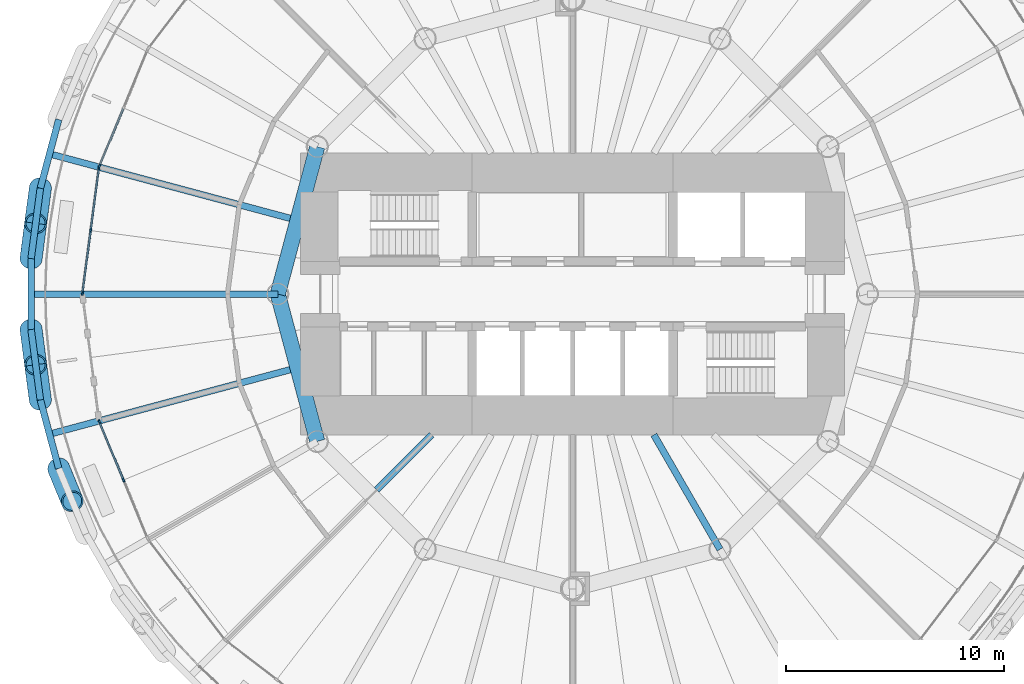
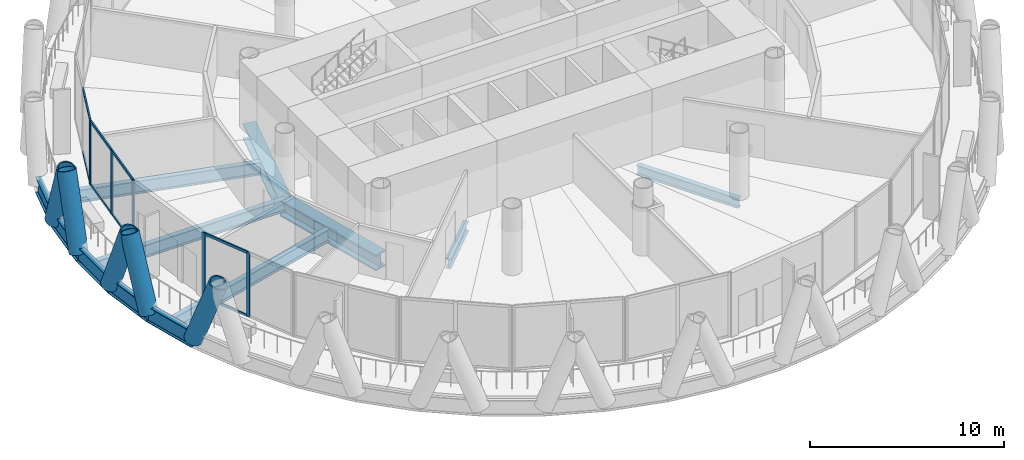
# One storey, part 3 of 15: 19 members, 12 beams, 3 elements without a shape of their own.
"""IFC4 building model written with IfcOpenShell, lengths in metres."""

import ifcopenshell
import ifcopenshell.guid

model = None  # the IFC model being written
_history = None  # IfcOwnerHistory: only IFC2X3 demands one
_inside = {}  # id of a spatial element -> (the spatial element, [elements in it])
_under = {}  # id of a project, library or spatial element -> (it, [spatial elements below it])
_declared = {}  # id of a project -> (the project, [libraries it declares])
_typed = {}  # id of a type object -> (the type object, [elements of that type])
_made_of = {}  # id of a material, layer set ... -> (it, [elements and type objects made of it])


def new_model(schema):
    """Start an empty IFC model of exactly this schema.

    Asked for "IFC4X3", IfcOpenShell would pick the latest addendum, in which some entities
    have other attributes; the version numbers below select the first issue.
    IFC2X3 requires an IfcOwnerHistory on every rooted entity: one is made here for all.
    """
    global model, _history
    if schema == "IFC4X3":
        model = ifcopenshell.file(schema_version=(4, 3, 0, 0))
    else:
        model = ifcopenshell.file(schema=schema)
    _inside.clear()
    _under.clear()
    _declared.clear()
    _typed.clear()
    _made_of.clear()
    _history = None
    if model.schema == "IFC2X3":
        org = make("IfcOrganization", Name="unknown")
        user = make(
            "IfcPersonAndOrganization",
            ThePerson=make("IfcPerson", FamilyName="unknown"),
            TheOrganization=org,
        )
        app = make(
            "IfcApplication",
            ApplicationDeveloper=org,
            Version="unknown",
            ApplicationFullName="unknown",
            ApplicationIdentifier="unknown",
        )
        _history = make(
            "IfcOwnerHistory",
            OwningUser=user,
            OwningApplication=app,
            ChangeAction="ADDED",
            CreationDate=0,
        )
    return model


def make(cls, **values):
    """One entity of the class cls with the attributes given. An attribute that is None is left unset."""
    return model.create_entity(
        cls, **{name: value for name, value in values.items() if value is not None}
    )


def rooted(cls, **values):
    """An entity with a GlobalId (a new one), such as an element, a storey or a relation."""
    return make(cls, GlobalId=ifcopenshell.guid.new(), OwnerHistory=_history, **values)


def si_unit(unit_type, name, prefix=None):
    """IfcSIUnit, for example si_unit("LENGTHUNIT", "METRE", prefix="MILLI")."""
    return make("IfcSIUnit", UnitType=unit_type, Prefix=prefix, Name=name)


def assignment(units):
    """IfcUnitAssignment: the units of a project."""
    return None if units is None else make("IfcUnitAssignment", Units=units)


def point(xyz):
    """IfcCartesianPoint."""
    return None if xyz is None else make("IfcCartesianPoint", Coordinates=xyz)


def direction(xyz):
    """IfcDirection."""
    return None if xyz is None else make("IfcDirection", DirectionRatios=xyz)


def frame(location, z_axis=None, x_axis=None):
    """IfcAxis2Placement3D, a coordinate frame: its origin and axes. An axis left out is left unset."""
    return make(
        "IfcAxis2Placement3D",
        Location=point(location),
        Axis=direction(z_axis),
        RefDirection=direction(x_axis),
    )


def frame_2d(location, x_axis=None):
    """IfcAxis2Placement2D, a coordinate frame in the plane: its origin and x axis."""
    return make(
        "IfcAxis2Placement2D", Location=point(location), RefDirection=direction(x_axis)
    )


def origin():
    """The frame at (0, 0, 0) with its axes left unset."""
    return frame((0.0, 0.0, 0.0))


def origin_2d():
    """The frame at (0, 0) in the plane with its x axis left unset."""
    return frame_2d((0.0, 0.0))


def place(relative_to, where):
    """IfcLocalPlacement: puts the frame where relative to a parent placement (None: the world)."""
    return make(
        "IfcLocalPlacement", PlacementRelTo=relative_to, RelativePlacement=where
    )


def context(
    kind, dimensions, precision=None, world=None, true_north=None, identifier=None
):
    """IfcGeometricRepresentationContext, for example the 3D "Model" context."""
    return make(
        "IfcGeometricRepresentationContext",
        ContextIdentifier=identifier,
        ContextType=kind,
        CoordinateSpaceDimension=dimensions,
        Precision=precision,
        WorldCoordinateSystem=world,
        TrueNorth=true_north,
    )


def subcontext(parent, identifier, kind, view, scale=None):
    """IfcGeometricRepresentationSubContext, for example "Body" below "Model"."""
    return make(
        "IfcGeometricRepresentationSubContext",
        ContextIdentifier=identifier,
        ContextType=kind,
        ParentContext=parent,
        TargetScale=scale,
        TargetView=view,
    )


def project(units=None, contexts=None):
    """IfcProject with its units and contexts."""
    return rooted(
        "IfcProject",
        Name="project",
        RepresentationContexts=contexts,
        UnitsInContext=assignment(units),
    )


def spatial(cls, under=None, at=None, **own):
    """A site, building, storey or space (cls), placed at a placement, below another one or the project."""
    s = rooted(cls, ObjectPlacement=at, **own)
    if under is not None:
        _under.setdefault(under.id(), (under, []))[1].append(s)
    return s


def profile(cls, at=None, kind="AREA", **sizes):
    """A parametric profile (cls). Its sizes go by their IFC names, for example OverallWidth=200.0."""
    return make(cls, ProfileType=kind, Position=at, **sizes)


def rectangle(**sizes):
    """IfcRectangleProfileDef."""
    return profile("IfcRectangleProfileDef", **sizes)


def hollow_circle(**sizes):
    """IfcCircleHollowProfileDef."""
    return profile("IfcCircleHollowProfileDef", **sizes)


def i_section(**sizes):
    """IfcIShapeProfileDef."""
    return profile("IfcIShapeProfileDef", **sizes)


def extrude(swept, where, along, depth):
    """IfcExtrudedAreaSolid: the profile swept, set in the frame where, extruded along a direction by depth."""
    return make(
        "IfcExtrudedAreaSolid",
        SweptArea=swept,
        Position=where,
        ExtrudedDirection=direction(along),
        Depth=depth,
    )


def shape(context_of_items, identifier, shape_type, items):
    """IfcShapeRepresentation: the items that make up one representation, for example the "Body"."""
    return make(
        "IfcShapeRepresentation",
        ContextOfItems=context_of_items,
        RepresentationIdentifier=identifier,
        RepresentationType=shape_type,
        Items=items,
    )


def material(Name=None, Category=None):
    """IfcMaterial."""
    return make("IfcMaterial", Name=Name, Category=Category)


def material_profile(
    of_material, cross_section, Name=None, Category=None, Priority=None
):
    """IfcMaterialProfile: a cross section and its material."""
    return make(
        "IfcMaterialProfile",
        Name=Name,
        Material=of_material,
        Profile=cross_section,
        Priority=Priority,
        Category=Category,
    )


def profile_set(profiles, Name=None, composite=None):
    """IfcMaterialProfileSet."""
    return make(
        "IfcMaterialProfileSet",
        Name=Name,
        MaterialProfiles=profiles,
        CompositeProfile=composite,
    )


def made_of(thing, what):
    """Note that an element or type object is made of a material, layer set ...; save() writes the relation."""
    if what is not None:
        _made_of.setdefault(what.id(), (what, []))[1].append(thing)
    return thing


def type_object(cls, material=None, **own):
    """A type object (cls), such as IfcWallType, which elements share."""
    return made_of(rooted(cls, **own), material)


def element(
    cls,
    number,
    at=None,
    inside=None,
    cuts=None,
    type_object=None,
    material=None,
    context=None,
    identifier="Body",
    shape_type=None,
    held_by="IfcProductDefinitionShape",
    body=None,
    shapes=None,
    **own,
):
    """One element of the class cls, such as IfcWall. Its Tag is "e" and its number.

    at: its placement. inside: the storey or other place that contains it. cuts: it is an
    opening in that element (IfcRelVoidsElement). A single representation is given by context,
    identifier, shape_type and body (its items); several are given by shapes. held_by: the class
    of the entity that holds the representations. save() writes the other relations.
    """
    e = rooted(cls, Tag="e%d" % number, ObjectPlacement=at, **own)
    if body is not None:
        shapes = [shape(context, identifier, shape_type, body)]
    if shapes is not None:
        e.Representation = make(held_by, Representations=shapes)
    if inside is not None:
        _inside.setdefault(inside.id(), (inside, []))[1].append(e)
    if cuts is not None:
        rooted(
            "IfcRelVoidsElement", RelatingBuildingElement=cuts, RelatedOpeningElement=e
        )
    if type_object is not None:
        _typed.setdefault(type_object.id(), (type_object, []))[1].append(e)
    return made_of(e, material)


def aggregate(whole, parts):
    """IfcRelAggregates: a whole, such as a stair, and the parts it consists of."""
    return rooted("IfcRelAggregates", RelatingObject=whole, RelatedObjects=parts)


def save(model, path):
    """Write the relations noted so far, then the file.

    IfcRelAggregates (storeys below a building ...), IfcRelContainedInSpatialStructure (elements
    in a storey), IfcRelDefinesByType, IfcRelAssociatesMaterial and IfcRelDeclares: one each for
    every whole, place, type object, material and project.
    """
    for whole, parts in _under.values():
        aggregate(whole, parts)
    for where, things in _inside.values():
        rooted(
            "IfcRelContainedInSpatialStructure",
            RelatedElements=things,
            RelatingStructure=where,
        )
    for kind, things in _typed.values():
        rooted("IfcRelDefinesByType", RelatedObjects=things, RelatingType=kind)
    for what, things in _made_of.values():
        rooted("IfcRelAssociatesMaterial", RelatedObjects=things, RelatingMaterial=what)
    for by, libraries in _declared.values():
        rooted("IfcRelDeclares", RelatingContext=by, RelatedDefinitions=libraries)
    model.write(path)


model = new_model("IFC4")

# Units and contexts
model_context = context("Model", 3, precision=1e-05, world=origin(), true_north=direction((0.0, 1.0)))
body_context = subcontext(model_context, "Body", "Model", "MODEL_VIEW")
ifc_project = project(units=[si_unit("LENGTHUNIT", "METRE"), si_unit("AREAUNIT", "SQUARE_METRE"), si_unit("VOLUMEUNIT", "CUBIC_METRE"), si_unit("PLANEANGLEUNIT", "RADIAN"), si_unit("MASSUNIT", "GRAM", prefix="KILO")], contexts=[model_context])

# Site, building, storey
site_placement = place(None, origin())
site = spatial("IfcSite", under=ifc_project, at=site_placement, CompositionType="ELEMENT")
building_placement = place(site_placement, origin())
building = spatial("IfcBuilding", under=site, at=building_placement, Name="Qaws Media Tower", CompositionType="ELEMENT")
storey_placement = place(building_placement, frame((0.0, 0.0, 147.800048828125)))
storey = spatial("IfcBuildingStorey", under=building, at=storey_placement, Name="L33", CompositionType="ELEMENT", Elevation=147.800048828125)

# Curtain wall, member
ifc_material_1 = material(Name="Aluminium and clear glass", Category="aluminium")
curtain_wall_type = type_object("IfcCurtainWallType", Name="Unitised curtain wall CW-B", PredefinedType="NOTDEFINED", material=ifc_material_1)
curtain_wall_1_placement = place(storey_placement, origin())
curtain_wall_1 = element("IfcCurtainWall", 1, at=curtain_wall_1_placement, inside=storey, type_object=curtain_wall_type, Name="CWB curtain wall L33-11", PredefinedType="NOTDEFINED")
ifc_material_2 = material(Name="Aluminium mullion", Category="aluminium")
ifc_material_profile_1 = material_profile(ifc_material_2, rectangle(XDim=0.080078125, YDim=0.199951171875, at=origin_2d()), Name="80x200")
ifc_profile_set_1 = profile_set([ifc_material_profile_1], Name="Aluminium mullion")
member_type_1 = type_object("IfcMemberType", Name="Curtain wall mullion 80x200", PredefinedType="MULLION", material=ifc_profile_set_1)
member_1_placement = place(storey_placement, frame((38.330322265625, 55.847412109375, 0.0), z_axis=(0.0, 0.0, 1.0), x_axis=(0.923879490527, -0.382683533725, 0.0)))
member_1 = element("IfcMember", 2, at=member_1_placement, type_object=member_type_1, Name="CWB mullion 3", PredefinedType="MULLION", context=body_context, shape_type="SweptSolid", body=[
    extrude(rectangle(XDim=0.080078125, YDim=0.199951171875, at=origin_2d()), origin(), (0.0, 0.0, 1.0), 4.0400390625),
])

# Curtain wall, members
curtain_wall_2_placement = place(storey_placement, origin())
curtain_wall_2 = element("IfcCurtainWall", 3, at=curtain_wall_2_placement, inside=storey, type_object=curtain_wall_type, Name="CWB curtain wall L33-12", PredefinedType="NOTDEFINED")
member_2_placement = place(storey_placement, frame((38.309814453125, 55.770751953125, 0.0), z_axis=(0.0, 0.0, 1.0), x_axis=(0.991444867058, -0.130526149047, 0.0)))
member_2 = element("IfcMember", 4, at=member_2_placement, type_object=member_type_1, Name="CWB mullion 1", PredefinedType="MULLION", context=body_context, shape_type="SweptSolid", body=[
    extrude(rectangle(XDim=0.080078125, YDim=0.199951171875, at=origin_2d()), origin(), (0.0, 0.0, 1.0), 4.0400390625),
])
member_3_placement = place(storey_placement, frame((37.932373046875, 52.9052734375, 0.0), z_axis=(0.0, 0.0, 1.0), x_axis=(0.991444867058, -0.130526149047, 0.0)))
member_3 = element("IfcMember", 5, at=member_3_placement, type_object=member_type_1, Name="CWB mullion 2", PredefinedType="MULLION", context=body_context, shape_type="SweptSolid", body=[
    extrude(rectangle(XDim=0.080078125, YDim=0.199951171875, at=origin_2d()), origin(), (0.0, 0.0, 1.0), 4.0400390625),
])
member_4_placement = place(storey_placement, frame((37.55517578125, 50.03955078125, 0.0), z_axis=(0.0, 0.0, 1.0), x_axis=(0.991444867058, -0.130526149047, 0.0)))
member_4 = element("IfcMember", 6, at=member_4_placement, type_object=member_type_1, Name="CWB mullion 3", PredefinedType="MULLION", context=body_context, shape_type="SweptSolid", body=[
    extrude(rectangle(XDim=0.080078125, YDim=0.199951171875, at=origin_2d()), origin(), (0.0, 0.0, 1.0), 4.0400390625),
])

curtain_wall_3_placement = place(storey_placement, origin())
curtain_wall_3 = element("IfcCurtainWall", 7, at=curtain_wall_3_placement, inside=storey, type_object=curtain_wall_type, Name="CWB curtain wall L33-14", PredefinedType="NOTDEFINED")
member_5_placement = place(storey_placement, frame((38.330322265625, 44.152587890625, 0.0), z_axis=(0.0, 0.0, 1.0), x_axis=(0.923879490527, 0.382683533725, 0.0)))
member_5 = element("IfcMember", 8, at=member_5_placement, type_object=member_type_1, Name="CWB mullion 1", PredefinedType="MULLION", context=body_context, shape_type="SweptSolid", body=[
    extrude(rectangle(XDim=0.080078125, YDim=0.199951171875, at=origin_2d()), origin(), (0.0, 0.0, 1.0), 4.0400390625),
])
member_6_placement = place(storey_placement, frame((39.436279296875, 41.482177734375, 0.0), z_axis=(0.0, 0.0, 1.0), x_axis=(0.923879490527, 0.382683533725, 0.0)))
member_6 = element("IfcMember", 9, at=member_6_placement, type_object=member_type_1, Name="CWB mullion 2", PredefinedType="MULLION", context=body_context, shape_type="SweptSolid", body=[
    extrude(rectangle(XDim=0.080078125, YDim=0.199951171875, at=origin_2d()), origin(), (0.0, 0.0, 1.0), 4.0400390625),
])

# Member
ifc_material_3 = material(Name="Aluminium transom", Category="aluminium")
ifc_material_profile_2 = material_profile(ifc_material_3, rectangle(XDim=0.080078125, YDim=0.159912109375, at=origin_2d()), Name="80x160")
ifc_profile_set_2 = profile_set([ifc_material_profile_2], Name="Aluminium transom")
member_type_2 = type_object("IfcMemberType", Name="Curtain wall transom 80x160", PredefinedType="USERDEFINED", material=ifc_profile_set_2)
member_7_placement = place(storey_placement, frame((39.421142578125, 58.480712890625, 0.0400390625), z_axis=(-0.382745623752, -0.923853769543, 0.0), x_axis=(0.923853769543, -0.382745623752, 0.0)))
member_7 = element("IfcMember", 10, at=member_7_placement, type_object=member_type_2, Name="CWB transom 2.1", ObjectType="TRANSOM", PredefinedType="USERDEFINED", context=body_context, shape_type="SweptSolid", body=[
    extrude(rectangle(XDim=0.080078125, YDim=0.159912109375, at=origin_2d()), origin(), (0.0, 0.0, 1.0), 2.810546875),
])

member_8_placement = place(storey_placement, frame((39.421142578125, 58.480712890625, 4.0), z_axis=(-0.382745623752, -0.923853769543, 0.0), x_axis=(0.923853769543, -0.382745623752, 0.0)))
member_8 = element("IfcMember", 11, at=member_8_placement, type_object=member_type_2, Name="CWB transom 2.2", ObjectType="TRANSOM", PredefinedType="USERDEFINED", context=body_context, shape_type="SweptSolid", body=[
    extrude(rectangle(XDim=0.080078125, YDim=0.159912109375, at=origin_2d()), origin(), (0.0, 0.0, 1.0), 2.810546875),
])

aggregate(curtain_wall_1, [member_1, member_7, member_8])

member_9_placement = place(storey_placement, frame((38.304443359375, 55.731201171875, 0.0400390625), z_axis=(-0.130479231249, -0.991451042772, 0.0), x_axis=(0.991451042772, -0.130479231249, 0.0)))
member_9 = element("IfcMember", 12, at=member_9_placement, type_object=member_type_2, Name="CWB transom 1.1", ObjectType="TRANSOM", PredefinedType="USERDEFINED", context=body_context, shape_type="SweptSolid", body=[
    extrude(rectangle(XDim=0.080078125, YDim=0.159912109375, at=origin_2d()), origin(), (0.0, 0.0, 1.0), 2.810302734375),
])

member_10_placement = place(storey_placement, frame((38.304443359375, 55.731201171875, 4.0), z_axis=(-0.130479231249, -0.991451042772, 0.0), x_axis=(0.991451042772, -0.130479231249, 0.0)))
member_10 = element("IfcMember", 13, at=member_10_placement, type_object=member_type_2, Name="CWB transom 1.2", ObjectType="TRANSOM", PredefinedType="USERDEFINED", context=body_context, shape_type="SweptSolid", body=[
    extrude(rectangle(XDim=0.080078125, YDim=0.159912109375, at=origin_2d()), origin(), (0.0, 0.0, 1.0), 2.810302734375),
])

member_11_placement = place(storey_placement, frame((37.92724609375, 52.865478515625, 0.0400390625), z_axis=(-0.130490470081, -0.991449563628, 0.0), x_axis=(0.991449563628, -0.130490470081, 0.0)))
member_11 = element("IfcMember", 14, at=member_11_placement, type_object=member_type_2, Name="CWB transom 2.1", ObjectType="TRANSOM", PredefinedType="USERDEFINED", context=body_context, shape_type="SweptSolid", body=[
    extrude(rectangle(XDim=0.080078125, YDim=0.159912109375, at=origin_2d()), origin(), (0.0, 0.0, 1.0), 2.81005859375),
])

member_12_placement = place(storey_placement, frame((37.92724609375, 52.865478515625, 4.0), z_axis=(-0.130490470081, -0.991449563628, 0.0), x_axis=(0.991449563628, -0.130490470081, 0.0)))
member_12 = element("IfcMember", 15, at=member_12_placement, type_object=member_type_2, Name="CWB transom 2.2", ObjectType="TRANSOM", PredefinedType="USERDEFINED", context=body_context, shape_type="SweptSolid", body=[
    extrude(rectangle(XDim=0.080078125, YDim=0.159912109375, at=origin_2d()), origin(), (0.0, 0.0, 1.0), 2.81005859375),
])

aggregate(curtain_wall_2, [member_2, member_3, member_4, member_9, member_10, member_11, member_12])

member_13_placement = place(storey_placement, frame((38.345458984375, 44.11572265625, 0.0400390625), z_axis=(0.382745623752, -0.923853769543, 0.0), x_axis=(0.923853769543, 0.382745623752, 0.0)))
member_13 = element("IfcMember", 16, at=member_13_placement, type_object=member_type_2, Name="CWB transom 1.1", ObjectType="TRANSOM", PredefinedType="USERDEFINED", context=body_context, shape_type="SweptSolid", body=[
    extrude(rectangle(XDim=0.080078125, YDim=0.159912109375, at=origin_2d()), origin(), (0.0, 0.0, 1.0), 2.810546875),
])

member_14_placement = place(storey_placement, frame((38.345458984375, 44.11572265625, 4.0), z_axis=(0.382745623752, -0.923853769543, 0.0), x_axis=(0.923853769543, 0.382745623752, 0.0)))
member_14 = element("IfcMember", 17, at=member_14_placement, type_object=member_type_2, Name="CWB transom 1.2", ObjectType="TRANSOM", PredefinedType="USERDEFINED", context=body_context, shape_type="SweptSolid", body=[
    extrude(rectangle(XDim=0.080078125, YDim=0.159912109375, at=origin_2d()), origin(), (0.0, 0.0, 1.0), 2.810546875),
])

aggregate(curtain_wall_3, [member_5, member_6, member_13, member_14])

# Members
ifc_material_4 = material(Name="Steel S460", Category="steel")
ifc_material_profile_3 = material_profile(ifc_material_4, hollow_circle(Radius=0.508056640625, WallThickness=0.070068359375, at=origin_2d()), Name="CHS 1016x70")
ifc_profile_set_3 = profile_set([ifc_material_profile_3], Name="Steel S460")
member_type_3 = type_object("IfcMemberType", Name="Diagrid member CHS 1016x70", PredefinedType="USERDEFINED", material=ifc_profile_set_3)
for number, where, z_axis, x_axis, name in (
    (18, (35.62744140625, 54.847900390625, -0.6640625), (-0.047815257075, -0.357692818797, 0.932614362195), (0.991183235984, -0.132498274346, 0.0), "DG3 diagrid L33 A12"),
    (19, (35.203125, 48.374755859375, -0.6640625), (0.046405217951, -0.357905664619, 0.932603930391), (0.991698959967, 0.128581385903, 0.0), "DG3 diagrid L33 A13"),
    (20, (35.203125, 51.625244140625, -0.6640625), (0.046405217951, 0.357905664619, 0.932603930391), (-0.991698959967, 0.128581385903, 0.0), "DG3 diagrid L33 B13"),
    (21, (36.46875, 42.01220703125, -0.6640625), (0.137481650879, -0.33367490582, 0.932609164065), (0.924594078126, 0.38095379076, 0.0), "DG3 diagrid L33 A14"),
    (22, (35.62744140625, 45.152099609375, -0.6640625), (-0.047815257075, 0.357692818797, 0.932614362195), (-0.991183235984, -0.132498274346, 0.0), "DG3 diagrid L33 B14"),
):
    element("IfcMember", number, at=place(storey_placement, frame(where, z_axis=z_axis, x_axis=x_axis)), inside=storey, type_object=member_type_3, Name=name, ObjectType="DIAGRID", PredefinedType="USERDEFINED", context=body_context, shape_type="SweptSolid", body=[
        extrude(hollow_circle(Radius=0.508056640625, WallThickness=0.070068359375, at=origin_2d()), origin(), (0.0, 0.0, 1.0), 4.50341796875),
    ])

# Beams
ifc_material_5 = material(Name="Steel S460", Category="steel")
ifc_material_profile_4 = material_profile(ifc_material_5, i_section(OverallWidth=0.302001953125, OverallDepth=1.008056640625, WebThickness=0.02099609375, FlangeThickness=0.0400390625, FilletRadius=0.030029296875, at=origin_2d()), Name="HE 1000 M")
ifc_profile_set_4 = profile_set([ifc_material_profile_4], Name="Steel S460")
beam_type_1 = type_object("IfcBeamType", Name="Edge ring beam HE 1000 M", PredefinedType="BEAM", material=ifc_profile_set_4)
beam_1_placement = place(storey_placement, frame((36.46875, 57.98779296875, -0.6640625), z_axis=(-0.258812418621, -0.965927601825, 0.0), x_axis=(0.965927601825, -0.258812418621, 0.0)))
element("IfcBeam", 23, at=beam_1_placement, inside=storey, type_object=beam_type_1, Name="RB3 edge ring beam L33-22", PredefinedType="BEAM", context=body_context, shape_type="SweptSolid", body=[
    extrude(i_section(OverallWidth=0.302001953125, OverallDepth=1.008056640625, WebThickness=0.02099609375, FlangeThickness=0.0400390625, FilletRadius=0.030029296875, at=origin_2d()), origin(), (0.0, 0.0, 1.0), 3.250732421875),
])
for number, where, z_axis, x_axis, name in (
    (24, (35.62744140625, 54.847900390625, -0.6640625), (-0.130540000708, -0.991443043354, 0.0), (0.991443043354, -0.130540000708, 0.0), "RB3 edge ring beam L33-23"),
    (25, (35.203125, 51.625244140625, -0.6640625), (0.0, -1.0, 0.0), (1.0, 0.0, 0.0), "RB3 edge ring beam L33-24"),
    (26, (35.203125, 48.374755859375, -0.6640625), (0.130540000708, -0.991443043354, 0.0), (0.991443043354, 0.130540000708, 0.0), "RB3 edge ring beam L33-25"),
):
    element("IfcBeam", number, at=place(storey_placement, frame(where, z_axis=z_axis, x_axis=x_axis)), inside=storey, type_object=beam_type_1, Name=name, PredefinedType="BEAM", context=body_context, shape_type="SweptSolid", body=[
        extrude(i_section(OverallWidth=0.302001953125, OverallDepth=1.008056640625, WebThickness=0.02099609375, FlangeThickness=0.0400390625, FilletRadius=0.030029296875, at=origin_2d()), origin(), (0.0, 0.0, 1.0), 3.25048828125),
    ])
beam_2_placement = place(storey_placement, frame((35.62744140625, 45.152099609375, -0.6640625), z_axis=(0.258812418621, -0.965927601825, 0.0), x_axis=(0.965927601825, 0.258812418621, 0.0)))
element("IfcBeam", 27, at=beam_2_placement, inside=storey, type_object=beam_type_1, Name="RB3 edge ring beam L33-26", PredefinedType="BEAM", context=body_context, shape_type="SweptSolid", body=[
    extrude(i_section(OverallWidth=0.302001953125, OverallDepth=1.008056640625, WebThickness=0.02099609375, FlangeThickness=0.0400390625, FilletRadius=0.030029296875, at=origin_2d()), origin(), (0.0, 0.0, 1.0), 3.250732421875),
])
ifc_material_6 = material(Name="Steel S460", Category="steel")
ifc_material_profile_5 = material_profile(ifc_material_6, i_section(OverallWidth=0.699951171875, OverallDepth=1.0, WebThickness=0.034912109375, FlangeThickness=0.090087890625, at=origin_2d()), Name="PG 1000x700")
ifc_profile_set_5 = profile_set([ifc_material_profile_5], Name="Steel S460")
beam_type_2 = type_object("IfcBeamType", Name="Inner ring girder PG 1000x700", PredefinedType="BEAM", material=ifc_profile_set_5)
for number, where, z_axis, x_axis, name in (
    (28, (48.30859375, 56.75, -0.66015625), (-0.258810593767, -0.965928090778, 0.0), (0.965928090778, -0.258810593767, 0.0), "B3 inner ring beam L33 I06-I07"),
    (29, (46.5, 50.0, -0.66015625), (0.258810593767, -0.965928090778, 0.0), (0.965928090778, 0.258810593767, 0.0), "B3 inner ring beam L33 I07-I08"),
):
    element("IfcBeam", number, at=place(storey_placement, frame(where, z_axis=z_axis, x_axis=x_axis)), inside=storey, type_object=beam_type_2, Name=name, PredefinedType="BEAM", context=body_context, shape_type="SweptSolid", body=[
        extrude(i_section(OverallWidth=0.699951171875, OverallDepth=1.0, WebThickness=0.034912109375, FlangeThickness=0.090087890625, at=origin_2d()), origin(), (0.0, 0.0, 1.0), 6.988037109375),
    ])
ifc_material_7 = material(Name="Steel S355", Category="steel")
ifc_material_profile_6 = material_profile(ifc_material_7, i_section(OverallWidth=0.304931640625, OverallDepth=0.6201171875, WebThickness=0.02099609375, FlangeThickness=0.0400390625, FilletRadius=0.027099609375, at=origin_2d()), Name="HE 600 M")
ifc_profile_set_6 = profile_set([ifc_material_profile_6], Name="Steel S355")
beam_type_3 = type_object("IfcBeamType", Name="Radial beam HE 600 M, core side", PredefinedType="BEAM", material=ifc_profile_set_6)
beam_3_placement = place(storey_placement, frame((53.550048828125, 43.550048828125, -0.469970703125), z_axis=(-0.707106781187, -0.707106781187, 0.0), x_axis=(0.707106781187, -0.707106781187, 0.0)))
element("IfcBeam", 30, at=beam_3_placement, inside=storey, type_object=beam_type_3, Name="B2 radial beam L33 16", PredefinedType="BEAM", context=body_context, shape_type="SweptSolid", body=[
    extrude(i_section(OverallWidth=0.304931640625, OverallDepth=0.6201171875, WebThickness=0.02099609375, FlangeThickness=0.0400390625, FilletRadius=0.027099609375, at=origin_2d()), origin(), (0.0, 0.0, 1.0), 3.568359375),
])
beam_4_placement = place(storey_placement, frame((63.723876953125, 43.550048828125, -0.469970703125), z_axis=(0.499995978368, -0.866027725662, 0.0), x_axis=(0.866027725662, 0.499995978368, 0.0)))
element("IfcBeam", 31, at=beam_4_placement, inside=storey, type_object=beam_type_3, Name="B2 radial beam L33 21", PredefinedType="BEAM", context=body_context, shape_type="SweptSolid", body=[
    extrude(i_section(OverallWidth=0.304931640625, OverallDepth=0.6201171875, WebThickness=0.02099609375, FlangeThickness=0.0400390625, FilletRadius=0.027099609375, at=origin_2d()), origin(), (0.0, 0.0, 1.0), 6.05224609375),
])
ifc_material_8 = material(Name="Steel S355", Category="steel")
ifc_material_profile_7 = material_profile(ifc_material_8, i_section(OverallWidth=0.300048828125, OverallDepth=0.800048828125, WebThickness=0.017578125, FlangeThickness=0.032958984375, FilletRadius=0.030029296875, at=origin_2d()), Name="HE 800 B")
ifc_profile_set_7 = profile_set([ifc_material_profile_7], Name="Steel S355")
beam_type_4 = type_object("IfcBeamType", Name="Radial beam HE 800 B", PredefinedType="BEAM", material=ifc_profile_set_7)
beam_5_placement = place(storey_placement, frame((47.066162109375, 53.465576171875, -0.56005859375), z_axis=(-0.965923402633, 0.258828090141, 0.0), x_axis=(-0.258828090141, -0.965923402633, 0.0)))
element("IfcBeam", 32, at=beam_5_placement, inside=storey, type_object=beam_type_4, Name="B1 radial beam L33 12", PredefinedType="BEAM", context=body_context, shape_type="SweptSolid", body=[
    extrude(i_section(OverallWidth=0.300048828125, OverallDepth=0.800048828125, WebThickness=0.017578125, FlangeThickness=0.032958984375, FilletRadius=0.030029296875, at=origin_2d()), origin(), (0.0, 0.0, 1.0), 11.40673828125),
])
beam_6_placement = place(storey_placement, frame((46.5, 50.0, -0.56005859375), z_axis=(-1.0, 0.0, 0.0), x_axis=(0.0, -1.0, 0.0)))
element("IfcBeam", 33, at=beam_6_placement, inside=storey, type_object=beam_type_4, Name="B1 radial beam L33 13", PredefinedType="BEAM", context=body_context, shape_type="SweptSolid", body=[
    extrude(i_section(OverallWidth=0.300048828125, OverallDepth=0.800048828125, WebThickness=0.017578125, FlangeThickness=0.032958984375, FilletRadius=0.030029296875, at=origin_2d()), origin(), (0.0, 0.0, 1.0), 11.296875),
])
beam_7_placement = place(storey_placement, frame((47.066162109375, 46.534423828125, -0.56005859375), z_axis=(-0.965923402633, -0.258828090141, 0.0), x_axis=(0.258828090141, -0.965923402633, 0.0)))
element("IfcBeam", 34, at=beam_7_placement, inside=storey, type_object=beam_type_4, Name="B1 radial beam L33 14", PredefinedType="BEAM", context=body_context, shape_type="SweptSolid", body=[
    extrude(i_section(OverallWidth=0.300048828125, OverallDepth=0.800048828125, WebThickness=0.017578125, FlangeThickness=0.032958984375, FilletRadius=0.030029296875, at=origin_2d()), origin(), (0.0, 0.0, 1.0), 11.40673828125),
])

save(model, "model.ifc")
